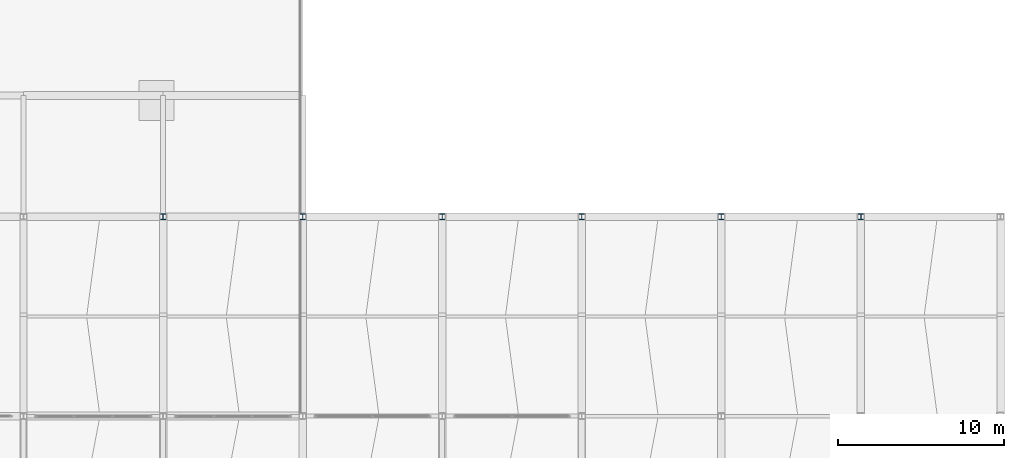
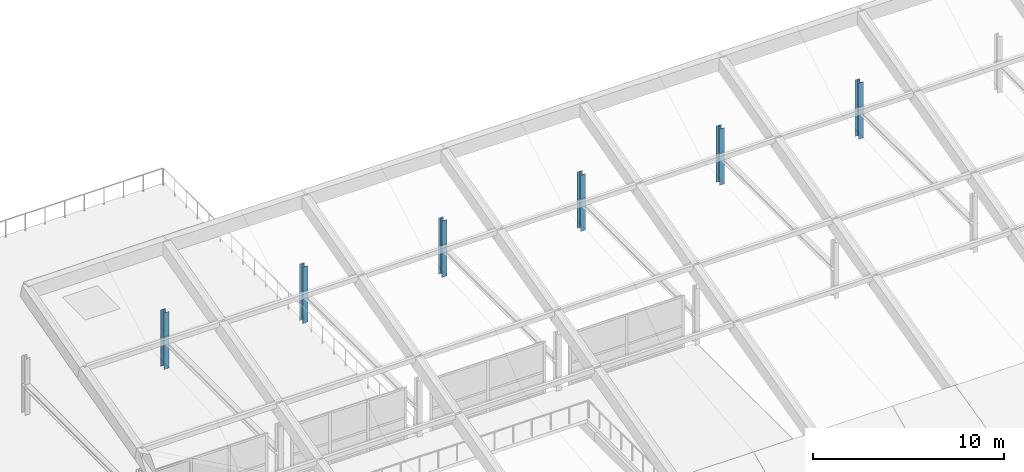
# One storey, part 5 of 51: 6 columns.
"""IFC4 building model written with IfcOpenShell, lengths in metres."""

from ifc_helpers import new_model, si_unit, direction, frame, origin, origin_2d, place, context, subcontext, project, spatial, i_section, extrude, material, material_profile, profile_set, type_object, element, save


model = new_model("IFC4")

# Units and contexts
model_context = context("Model", 3, precision=1e-05, world=origin(), true_north=direction((0.0, 1.0)))
body_context = subcontext(model_context, "Body", "Model", "MODEL_VIEW")
ifc_project = project(units=[si_unit("LENGTHUNIT", "METRE"), si_unit("AREAUNIT", "SQUARE_METRE"), si_unit("VOLUMEUNIT", "CUBIC_METRE"), si_unit("PLANEANGLEUNIT", "RADIAN"), si_unit("MASSUNIT", "GRAM", prefix="KILO")], contexts=[model_context])

# Site, building, storey
site_placement = place(None, origin())
site = spatial("IfcSite", under=ifc_project, at=site_placement, CompositionType="ELEMENT")
building_placement = place(site_placement, origin())
building = spatial("IfcBuilding", under=site, at=building_placement, Name="Vharandega Faculty of Natural Sciences", CompositionType="ELEMENT")
storey_placement = place(building_placement, frame((0.0, 0.0, 18.0)))
storey = spatial("IfcBuildingStorey", under=building, at=storey_placement, Name="L04", CompositionType="ELEMENT", Elevation=18.0)

# Columns
ifc_material = material(Name="Steel S355", Category="steel")
ifc_material_profile = material_profile(ifc_material, i_section(OverallWidth=0.300048828125, OverallDepth=0.360107421875, WebThickness=0.012451171875, FlangeThickness=0.0224609375, FilletRadius=0.027099609375, at=origin_2d()), Name="HEB 360")
ifc_profile_set = profile_set([ifc_material_profile], Name="Steel S355")
column_type = type_object("IfcColumnType", Name="Steel Column HEB 360", PredefinedType="COLUMN", material=ifc_profile_set)
for number, where, z_axis, x_axis, name in (
    (1, (72.800048828125, 97.0, 0.0), (0.0, 0.0, 1.0), (1.0, 0.0, 0.0), "Column 10/N L04"),
    (2, (81.199951171875, 97.0, 0.0), (0.0, 0.0, 1.0), (1.0, 0.0, 0.0), "Column 11/N L04"),
    (3, (89.60009765625, 97.0, 0.0), (0.0, 0.0, 1.0), (1.0, 0.0, 0.0), "Column 12/N L04"),
    (4, (98.0, 97.0, 0.0), (0.0, 0.0, 1.0), (1.0, 0.0, 0.0), "Column 13/N L04"),
    (5, (106.39990234375, 97.0, 0.0), (0.0, 0.0, 1.0), (1.0, 0.0, 0.0), "Column 14/N L04"),
    (6, (64.39990234375, 97.0, 0.0), (0.0, 0.0, 1.0), (1.0, 0.0, 0.0), "Column 9/N L04"),
):
    element("IfcColumn", number, at=place(storey_placement, frame(where, z_axis=z_axis, x_axis=x_axis)), inside=storey, type_object=column_type, Name=name, PredefinedType="COLUMN", context=body_context, shape_type="SweptSolid", body=[
        extrude(i_section(OverallWidth=0.300048828125, OverallDepth=0.360107421875, WebThickness=0.012451171875, FlangeThickness=0.0224609375, FilletRadius=0.027099609375, at=origin_2d()), origin(), (0.0, 0.0, 1.0), 3.60009765625),
    ])

save(model, "model.ifc")
